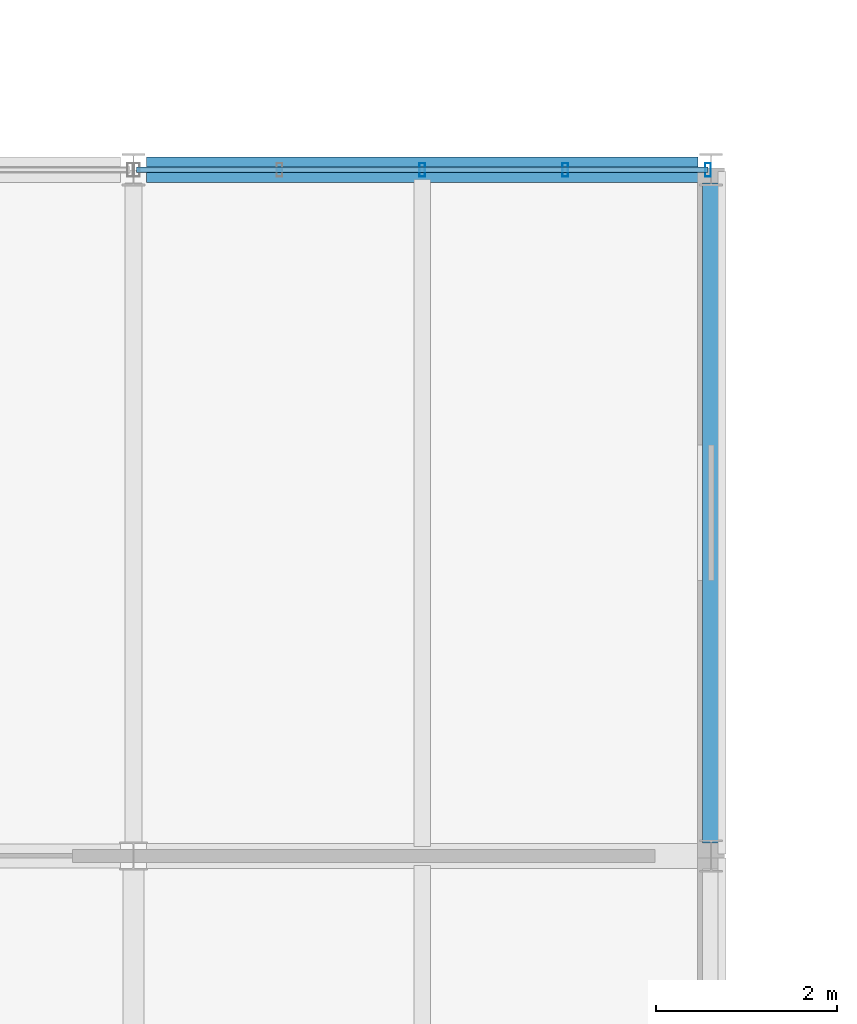
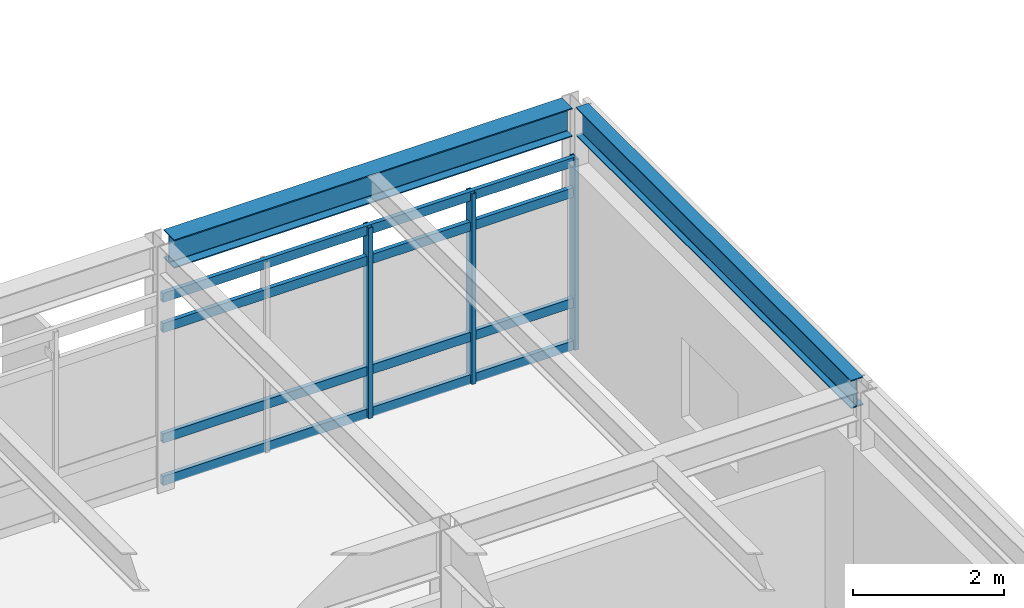
# One storey, part 12 of 21: 7 members, 2 beams, 1 element without a shape of its own.
"""IFC4 building model written with IfcOpenShell, lengths in metres."""

from ifc_helpers import new_model, si_unit, direction, frame, origin, origin_2d, place, context, subcontext, project, spatial, hollow_rectangle, i_section, extrude, material, material_profile, profile_set, type_object, element, aggregate, save


model = new_model("IFC4")

# Units and contexts
model_context = context("Model", 3, precision=1e-05, world=origin(), true_north=direction((0.0, 1.0)))
body_context = subcontext(model_context, "Body", "Model", "MODEL_VIEW")
ifc_project = project(units=[si_unit("LENGTHUNIT", "METRE"), si_unit("AREAUNIT", "SQUARE_METRE"), si_unit("VOLUMEUNIT", "CUBIC_METRE"), si_unit("PLANEANGLEUNIT", "RADIAN"), si_unit("MASSUNIT", "GRAM", prefix="KILO")], contexts=[model_context])

# Site, building, storey
site_placement = place(None, origin())
site = spatial("IfcSite", under=ifc_project, at=site_placement, CompositionType="ELEMENT")
building_placement = place(site_placement, origin())
building = spatial("IfcBuilding", under=site, at=building_placement, Name="Zulena Civic Courthouse", CompositionType="ELEMENT")
storey_placement = place(building_placement, frame((0.0, 0.0, 37.800048828125)))
storey = spatial("IfcBuildingStorey", under=building, at=storey_placement, Name="L08", CompositionType="ELEMENT", Elevation=37.800048828125)

# Curtain wall, members
ifc_material_1 = material(Name="Double-silver low-E laminated solar-control glass", Category="glass")
curtain_wall_type = type_object("IfcCurtainWallType", Name="CW_6328x3090", PredefinedType="USERDEFINED", material=ifc_material_1)
curtain_wall_placement = place(storey_placement, origin())
curtain_wall = element("IfcCurtainWall", 1, at=curtain_wall_placement, inside=storey, type_object=curtain_wall_type, Name="cw:V2:L08:1:5", ObjectType="UNITISED CURTAIN WALL", PredefinedType="USERDEFINED")
ifc_material_2 = material(Name="Bronze anodised thermally broken aluminium AA6063-T6", Category="aluminium")
ifc_material_profile_1 = material_profile(ifc_material_2, hollow_rectangle(XDim=0.06494140625, YDim=0.14990234375, WallThickness=0.00390625, at=origin_2d()), Name="CWM150X65X4")
ifc_profile_set_1 = profile_set([ifc_material_profile_1], Name="Bronze anodised thermally broken aluminium AA6063-T6")
member_type_1 = type_object("IfcMemberType", Name="CWMullion_150x65", PredefinedType="MULLION", material=ifc_profile_set_1)
member_1_placement = place(storey_placement, frame((63.199951171875, 22.800048828125, 0.0), z_axis=(0.0, 0.0, 1.0), x_axis=(1.0, 0.0, 0.0)))
member_1 = element("IfcMember", 2, at=member_1_placement, type_object=member_type_1, Name="cw:V2:L08:1:5:mull:2", PredefinedType="MULLION", context=body_context, shape_type="SweptSolid", body=[
    extrude(hollow_rectangle(XDim=0.06494140625, YDim=0.14990234375, WallThickness=0.00390625, at=origin_2d()), origin(), (0.0, 0.0, 1.0), 3.08984375),
])
member_2_placement = place(storey_placement, frame((64.781982421875, 22.800048828125, 0.0), z_axis=(0.0, 0.0, 1.0), x_axis=(1.0, 0.0, 0.0)))
member_2 = element("IfcMember", 3, at=member_2_placement, type_object=member_type_1, Name="cw:V2:L08:1:5:mull:3", PredefinedType="MULLION", context=body_context, shape_type="SweptSolid", body=[
    extrude(hollow_rectangle(XDim=0.06494140625, YDim=0.14990234375, WallThickness=0.00390625, at=origin_2d()), origin(), (0.0, 0.0, 1.0), 3.08984375),
])
member_3_placement = place(storey_placement, frame((66.364013671875, 22.800048828125, 0.0), z_axis=(0.0, 0.0, 1.0), x_axis=(1.0, 0.0, 0.0)))
member_3 = element("IfcMember", 4, at=member_3_placement, type_object=member_type_1, Name="cw:V2:L08:1:5:mull:4", PredefinedType="MULLION", context=body_context, shape_type="SweptSolid", body=[
    extrude(hollow_rectangle(XDim=0.06494140625, YDim=0.14990234375, WallThickness=0.00390625, at=origin_2d()), origin(), (0.0, 0.0, 1.0), 3.08984375),
])
ifc_material_profile_2 = material_profile(ifc_material_2, hollow_rectangle(XDim=0.06494140625, YDim=0.14990234375, WallThickness=0.00390625, at=origin_2d()), Name="CWT150X65X4")
ifc_profile_set_2 = profile_set([ifc_material_profile_2], Name="Bronze anodised thermally broken aluminium AA6063-T6")
member_type_2 = type_object("IfcMemberType", Name="CWTransom_150x65", PredefinedType="USERDEFINED", material=ifc_profile_set_2)
member_4_placement = place(storey_placement, frame((60.035888671875, 22.800048828125, 0.06005859375), z_axis=(1.0, 0.0, 0.0), x_axis=(0.0, 1.0, 0.0)))
member_4 = element("IfcMember", 5, at=member_4_placement, type_object=member_type_2, Name="cw:V2:L08:1:5:tran:0", ObjectType="TRANSOM", PredefinedType="USERDEFINED", context=body_context, shape_type="SweptSolid", body=[
    extrude(hollow_rectangle(XDim=0.06494140625, YDim=0.14990234375, WallThickness=0.00390625, at=origin_2d()), origin(), (0.0, 0.0, 1.0), 6.328125),
])
member_5_placement = place(storey_placement, frame((60.035888671875, 22.800048828125, 0.75), z_axis=(1.0, 0.0, 0.0), x_axis=(0.0, 1.0, 0.0)))
member_5 = element("IfcMember", 6, at=member_5_placement, type_object=member_type_2, Name="cw:V2:L08:1:5:tran:1", ObjectType="TRANSOM", PredefinedType="USERDEFINED", context=body_context, shape_type="SweptSolid", body=[
    extrude(hollow_rectangle(XDim=0.06494140625, YDim=0.14990234375, WallThickness=0.00390625, at=origin_2d()), origin(), (0.0, 0.0, 1.0), 6.328125),
])
member_6_placement = place(storey_placement, frame((60.035888671875, 22.800048828125, 2.5400390625), z_axis=(1.0, 0.0, 0.0), x_axis=(0.0, 1.0, 0.0)))
member_6 = element("IfcMember", 7, at=member_6_placement, type_object=member_type_2, Name="cw:V2:L08:1:5:tran:2", ObjectType="TRANSOM", PredefinedType="USERDEFINED", context=body_context, shape_type="SweptSolid", body=[
    extrude(hollow_rectangle(XDim=0.06494140625, YDim=0.14990234375, WallThickness=0.00390625, at=origin_2d()), origin(), (0.0, 0.0, 1.0), 6.328125),
])
member_7_placement = place(storey_placement, frame((60.035888671875, 22.800048828125, 3.030029296875), z_axis=(1.0, 0.0, 0.0), x_axis=(0.0, 1.0, 0.0)))
member_7 = element("IfcMember", 8, at=member_7_placement, type_object=member_type_2, Name="cw:V2:L08:1:5:tran:3", ObjectType="TRANSOM", PredefinedType="USERDEFINED", context=body_context, shape_type="SweptSolid", body=[
    extrude(hollow_rectangle(XDim=0.06494140625, YDim=0.14990234375, WallThickness=0.00390625, at=origin_2d()), origin(), (0.0, 0.0, 1.0), 6.328125),
])
aggregate(curtain_wall, [member_1, member_2, member_3, member_4, member_5, member_6, member_7])

# Beams
ifc_material_3 = material(Name="Steel ASTM A992 Grade 50", Category="steel")
ifc_material_profile_3 = material_profile(ifc_material_3, i_section(OverallWidth=0.19091796875, OverallDepth=0.4599609375, WebThickness=0.010009765625, FlangeThickness=0.01611328125, FilletRadius=0.01025390625, at=origin_2d()), Name="W18X55")
ifc_profile_set_3 = profile_set([ifc_material_profile_3], Name="Steel ASTM A992 Grade 50")
beam_type_1 = type_object("IfcBeamType", Name="Spandrel_W18X55", PredefinedType="SPANDREL", material=ifc_profile_set_3)
beam_1_placement = place(storey_placement, frame((66.39990234375, 15.344970703125, 3.77001953125), z_axis=(0.0, 1.0, 0.0), x_axis=(-1.0, 0.0, 0.0)))
element("IfcBeam", 9, at=beam_1_placement, inside=storey, type_object=beam_type_1, Name="beam:Y:V2:L08:66.4:15.2_22.8", PredefinedType="SPANDREL", context=body_context, shape_type="SweptSolid", body=[
    extrude(i_section(OverallWidth=0.19091796875, OverallDepth=0.4599609375, WebThickness=0.010009765625, FlangeThickness=0.01611328125, FilletRadius=0.01025390625, at=origin_2d()), origin(), (0.0, 0.0, 1.0), 7.31005859375),
])
ifc_material_profile_4 = material_profile(ifc_material_3, i_section(OverallWidth=0.280029296875, OverallDepth=0.462890625, WebThickness=0.0107421875, FlangeThickness=0.017333984375, FilletRadius=0.01025390625, at=origin_2d()), Name="W18X76")
ifc_profile_set_4 = profile_set([ifc_material_profile_4], Name="Steel ASTM A992 Grade 50")
beam_type_2 = type_object("IfcBeamType", Name="Spandrel_W18X76", PredefinedType="SPANDREL", material=ifc_profile_set_4)
beam_2_placement = place(storey_placement, frame((60.14501953125, 22.800048828125, 3.7685546875), z_axis=(1.0, 0.0, 0.0), x_axis=(0.0, 1.0, 0.0)))
element("IfcBeam", 10, at=beam_2_placement, inside=storey, type_object=beam_type_2, Name="beam:X:V2:L08:22.8:60.0_66.4", PredefinedType="SPANDREL", context=body_context, shape_type="SweptSolid", body=[
    extrude(i_section(OverallWidth=0.280029296875, OverallDepth=0.462890625, WebThickness=0.0107421875, FlangeThickness=0.017333984375, FilletRadius=0.01025390625, at=origin_2d()), origin(), (0.0, 0.0, 1.0), 6.10986328125),
])

save(model, "model.ifc")
